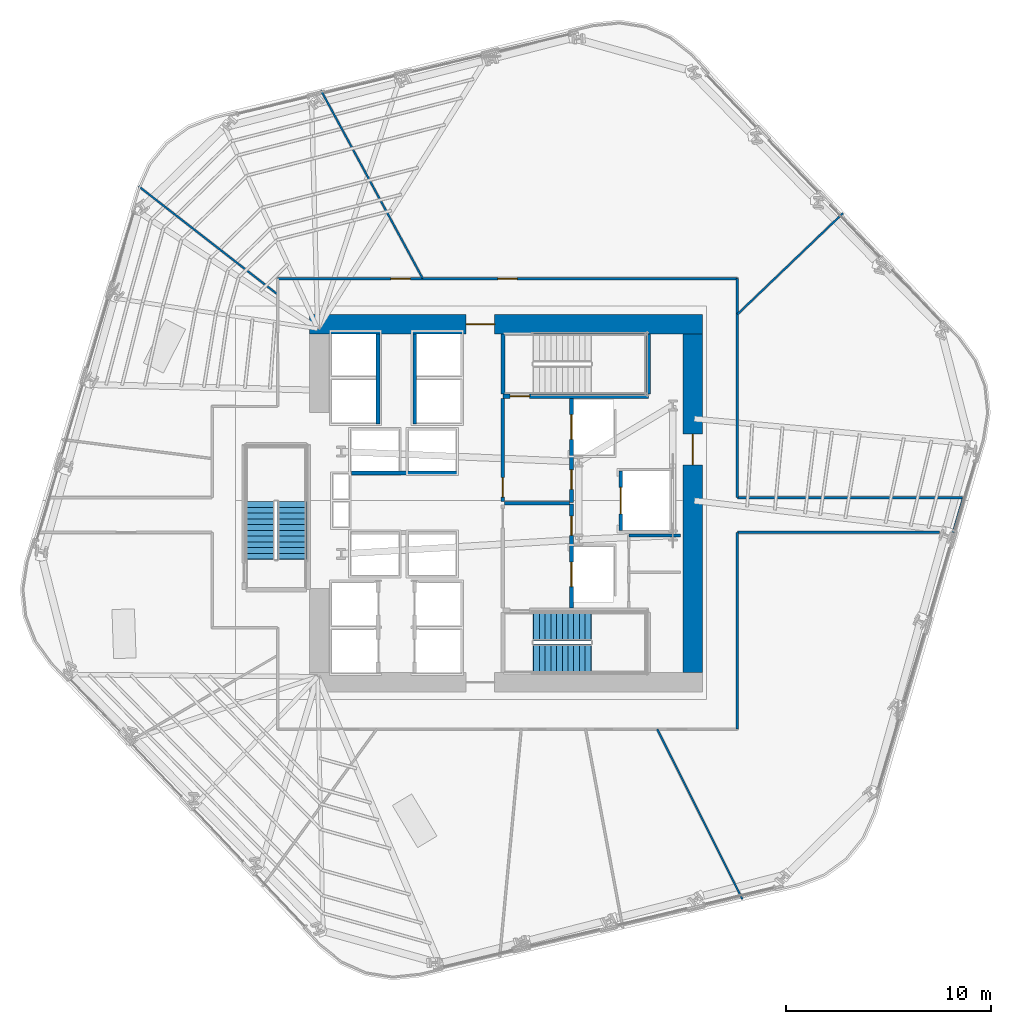
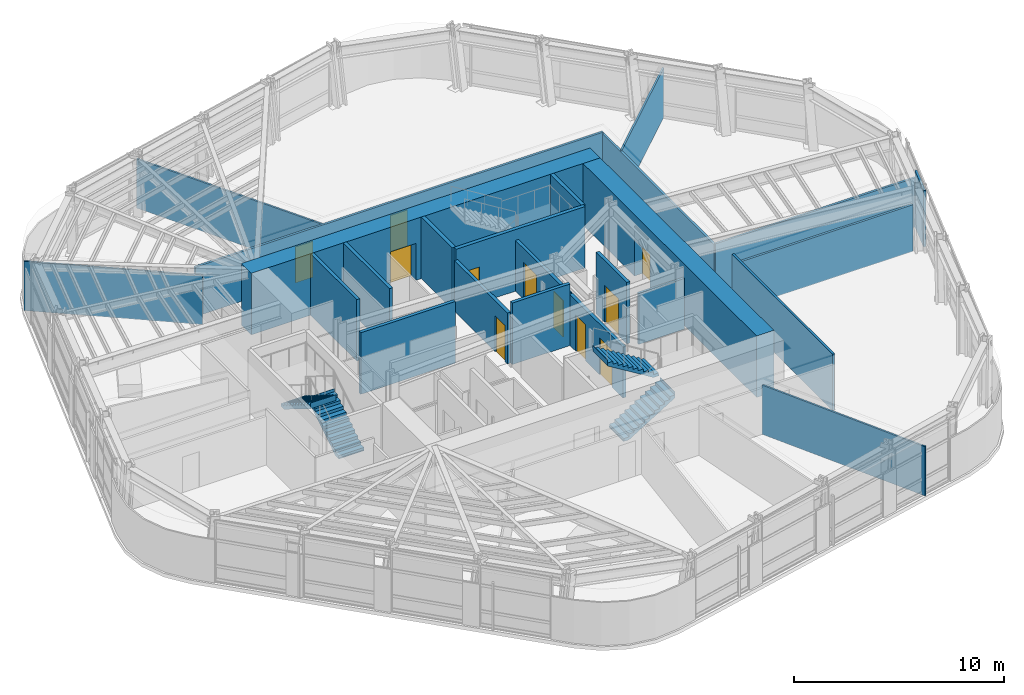
# One storey, part 10 of 17: 24 walls, 11 doors, 4 stair flights, 11 openings, 2 elements without a shape of their own.
"""IFC4 building model written with IfcOpenShell, lengths in metres."""

from ifc_helpers import new_model, si_unit, direction, frame, frame_2d, origin, place, context, subcontext, project, spatial, polyline, rectangle, outline, extrude, material, layer, layer_set, type_object, element, fill, aggregate, save


model = new_model("IFC4")

# Units and contexts
model_context = context("Model", 3, precision=1e-05, world=origin(), true_north=direction((0.0, 1.0)))
body_context = subcontext(model_context, "Body", "Model", "MODEL_VIEW")
ifc_project = project(units=[si_unit("LENGTHUNIT", "METRE"), si_unit("AREAUNIT", "SQUARE_METRE"), si_unit("VOLUMEUNIT", "CUBIC_METRE"), si_unit("PLANEANGLEUNIT", "RADIAN"), si_unit("MASSUNIT", "GRAM", prefix="KILO")], contexts=[model_context])

# Site, building, storey
site_placement = place(None, origin())
site = spatial("IfcSite", under=ifc_project, at=site_placement, CompositionType="ELEMENT")
building_placement = place(site_placement, origin())
building = spatial("IfcBuilding", under=site, at=building_placement, Name="Valkerne Bourse Tower", CompositionType="ELEMENT")
storey_placement = place(building_placement, frame((0.0, 0.0, 82.0)))
storey = spatial("IfcBuildingStorey", under=building, at=storey_placement, Name="L20", CompositionType="ELEMENT", Elevation=82.0)

# Wall, opening, door
ifc_material_1 = material(Name="Concrete C70/85", Category="concrete")
ifc_layer_1 = layer(ifc_material_1, 0.949951171875)
ifc_layer_set_1 = layer_set([ifc_layer_1], Name="Concrete C70/85")
wall_type_1 = type_object("IfcWallType", Name="W-CORE-950", PredefinedType="SHEAR", material=ifc_layer_set_1)
wall_1_placement = place(storey_placement, frame((37.199951171875, 35.625, 0.0), z_axis=(0.0, 0.0, 1.0), x_axis=(1.0, 0.0, 0.0)))
wall_1 = element("IfcWall", 1, at=wall_1_placement, inside=storey, type_object=wall_type_1, Name="L20 Core Shear Wall NORTH", PredefinedType="SHEAR", context=body_context, shape_type="SweptSolid", body=[
    extrude(rectangle(XDim=19.199951171875, YDim=0.949951171875, at=frame_2d((9.60009765625, 0.0))), origin(), (0.0, 0.0, 1.0), 3.580078125),
])
opening_1_placement = place(wall_1_placement, frame((7.64990234375, 0.0, 0.0)))
opening_1 = element("IfcOpeningElement", 2, at=opening_1_placement, cuts=wall_1, Name="Opening D-PL-1400", PredefinedType="OPENING", context=body_context, shape_type="SweptSolid", body=[
    extrude(rectangle(XDim=1.39990234375, YDim=2.14990234375, at=frame_2d((0.699951171875, 1.074951171875))), frame((0.0, 0.48486328125, 0.0), z_axis=(0.0, -1.0, 0.0), x_axis=(1.0, 0.0, 0.0)), (0.0, 0.0, 1.0), 0.969970703125),
])
ifc_material_2 = material(Name="Galvanised Painted Steel", Category="steel")
door_type_1 = type_object("IfcDoorType", Name="DR-PLT-1400", OperationType="DOUBLE_DOOR_SINGLE_SWING", PredefinedType="DOOR", material=ifc_material_2)
door_1_placement = place(opening_1_placement, origin())
door_1 = element("IfcDoor", 3, at=door_1_placement, inside=storey, type_object=door_type_1, Name="L20 North Passenger Lift Hall Fire Door", OperationType="DOUBLE_DOOR_SINGLE_SWING", OverallHeight=2.14990234375, OverallWidth=1.39990234375, PredefinedType="DOOR", context=body_context, shape_type="SweptSolid", body=[
    extrude(rectangle(XDim=1.39990234375, YDim=2.14990234375, at=frame_2d((0.699951171875, 1.074951171875))), frame((0.0, 0.02490234375, 0.0), z_axis=(0.0, -1.0, 0.0), x_axis=(1.0, 0.0, 0.0)), (0.0, 0.0, 1.0), 0.050048828125),
])
fill(opening_1, door_1)

wall_2_placement = place(storey_placement, frame((55.925048828125, 18.60009765625, 0.0), z_axis=(0.0, 0.0, 1.0), x_axis=(0.0, 1.0, 0.0)))
wall_2 = element("IfcWall", 4, at=wall_2_placement, inside=storey, type_object=wall_type_1, Name="L20 Core Shear Wall EAST", PredefinedType="SHEAR", context=body_context, shape_type="SweptSolid", body=[
    extrude(rectangle(XDim=16.5498046875, YDim=0.949951171875, at=frame_2d((8.27490234375, 0.0))), origin(), (0.0, 0.0, 1.0), 3.580078125),
])
opening_2_placement = place(wall_2_placement, frame((10.14990234375, 0.0, 0.0)))
opening_2 = element("IfcOpeningElement", 5, at=opening_2_placement, cuts=wall_2, Name="Opening D-CR-1500", PredefinedType="OPENING", context=body_context, shape_type="SweptSolid", body=[
    extrude(rectangle(XDim=1.5, YDim=2.14990234375, at=frame_2d((0.75, 1.074951171875))), frame((0.0, 0.48486328125, 0.0), z_axis=(0.0, -1.0, 0.0), x_axis=(1.0, 0.0, 0.0)), (0.0, 0.0, 1.0), 0.969970703125),
])
door_type_2 = type_object("IfcDoorType", Name="DR-CORR-1500", OperationType="DOUBLE_DOOR_SINGLE_SWING", PredefinedType="DOOR", material=ifc_material_2)
door_2_placement = place(opening_2_placement, origin())
door_2 = element("IfcDoor", 6, at=door_2_placement, inside=storey, type_object=door_type_2, Name="L20 East Core Service Lobby Fire Door", OperationType="DOUBLE_DOOR_SINGLE_SWING", OverallHeight=2.14990234375, OverallWidth=1.5, PredefinedType="DOOR", context=body_context, shape_type="SweptSolid", body=[
    extrude(rectangle(XDim=1.5, YDim=2.14990234375, at=frame_2d((0.75, 1.074951171875))), frame((0.0, 0.02490234375, 0.0), z_axis=(0.0, -1.0, 0.0), x_axis=(1.0, 0.0, 0.0)), (0.0, 0.0, 1.0), 0.050048828125),
])
fill(opening_2, door_2)

# Walls
ifc_material_3 = material(Name="Gypsum Board Steel-Stud Partition", Category="steel")
ifc_layer_2 = layer(ifc_material_3, 0.117919921875)
ifc_layer_set_2 = layer_set([ifc_layer_2], Name="Gypsum Board Steel-Stud Partition")
wall_type_2 = type_object("IfcWallType", Name="W-CORR-140", PredefinedType="PARTITIONING", material=ifc_layer_set_2)
wall_3_placement = place(storey_placement, frame((58.10009765625, 27.14990234375, 0.0), z_axis=(0.0, 0.0, 1.0), x_axis=(1.0, 0.0, 0.0)))
element("IfcWall", 7, at=wall_3_placement, inside=storey, type_object=wall_type_2, Name="L20 Corridor Enclosure Wall", PredefinedType="PARTITIONING", context=body_context, shape_type="SweptSolid", body=[
    extrude(rectangle(XDim=10.997802734375, YDim=0.117919921875, at=frame_2d((5.4990234375, 0.0))), origin(), (0.0, 0.0, 1.0), 2.864013671875),
])
wall_4_placement = place(storey_placement, frame((69.13037109375, 27.106689453125, 0.0), z_axis=(0.0, 0.0, 1.0), x_axis=(-0.281009953454, -0.959704853619, 0.0)))
element("IfcWall", 8, at=wall_4_placement, inside=storey, type_object=wall_type_2, Name="L20 Corridor Enclosure Wall", PredefinedType="PARTITIONING", context=body_context, shape_type="SweptSolid", body=[
    extrude(rectangle(XDim=1.726318359375, YDim=0.117919921875, at=frame_2d((0.86328125, 0.0))), origin(), (0.0, 0.0, 1.0), 3.280029296875),
])
wall_5_placement = place(storey_placement, frame((67.968017578125, 25.449951171875, 0.0), z_axis=(0.0, 0.0, 1.0), x_axis=(-1.0, 0.0, 0.0)))
element("IfcWall", 9, at=wall_5_placement, inside=storey, type_object=wall_type_2, Name="L20 Corridor Enclosure Wall", PredefinedType="PARTITIONING", context=body_context, shape_type="SweptSolid", body=[
    extrude(rectangle(XDim=9.867919921875, YDim=0.117919921875, at=frame_2d((4.93408203125, 0.0))), origin(), (0.0, 0.0, 1.0), 2.711669921875),
])
wall_6_placement = place(storey_placement, frame((58.10009765625, 25.449951171875, 0.0), z_axis=(0.0, 0.0, 1.0), x_axis=(0.0, -1.0, 0.0)))
element("IfcWall", 10, at=wall_6_placement, inside=storey, type_object=wall_type_2, Name="L20 Corridor Enclosure Wall", PredefinedType="PARTITIONING", context=body_context, shape_type="SweptSolid", body=[
    extrude(rectangle(XDim=9.599853515625, YDim=0.117919921875, at=frame_2d((4.7998046875, 0.0))), origin(), (0.0, 0.0, 1.0), 3.280029296875),
])

# Wall, openings, doors
wall_7_placement = place(storey_placement, frame((35.64990234375, 37.85009765625, 0.0), z_axis=(0.0, 0.0, 1.0), x_axis=(1.0, 0.0, 0.0)))
wall_7 = element("IfcWall", 11, at=wall_7_placement, inside=storey, type_object=wall_type_2, Name="L20 Corridor Enclosure Wall", PredefinedType="PARTITIONING", context=body_context, shape_type="SweptSolid", body=[
    extrude(rectangle(XDim=22.4501953125, YDim=0.117919921875, at=frame_2d((11.22509765625, 0.0))), origin(), (0.0, 0.0, 1.0), 2.876708984375),
])
opening_3_placement = place(wall_7_placement, frame((5.530029296875, 0.0, 0.0)))
opening_3 = element("IfcOpeningElement", 12, at=opening_3_placement, cuts=wall_7, Name="Opening D-OF-950", PredefinedType="OPENING", context=body_context, shape_type="SweptSolid", body=[
    extrude(rectangle(XDim=0.949951171875, YDim=2.10009765625, at=frame_2d((0.47509765625, 1.050048828125))), frame((0.0, 0.06884765625, 0.0), z_axis=(0.0, -1.0, 0.0), x_axis=(1.0, 0.0, 0.0)), (0.0, 0.0, 1.0), 0.137939453125),
])
opening_4_placement = place(wall_7_placement, frame((10.75, 0.0, 0.0)))
opening_4 = element("IfcOpeningElement", 13, at=opening_4_placement, cuts=wall_7, Name="Opening D-OF-950", PredefinedType="OPENING", context=body_context, shape_type="SweptSolid", body=[
    extrude(rectangle(XDim=0.949951171875, YDim=2.10009765625, at=frame_2d((0.47509765625, 1.050048828125))), frame((0.0, 0.06884765625, 0.0), z_axis=(0.0, -1.0, 0.0), x_axis=(1.0, 0.0, 0.0)), (0.0, 0.0, 1.0), 0.137939453125),
])
ifc_material_4 = material(Name="Architectural White Oak Timber", Category="wood")
door_type_3 = type_object("IfcDoorType", Name="DR-OFF-950", OperationType="NOTDEFINED", PredefinedType="DOOR", material=ifc_material_4)
door_3_placement = place(opening_3_placement, origin())
door_3 = element("IfcDoor", 14, at=door_3_placement, inside=storey, type_object=door_type_3, Name="L20 L20 Hospitality Catering Kitchen 4 Door", OperationType="SINGLE_SWING_RIGHT", OverallHeight=2.10009765625, OverallWidth=0.949951171875, PredefinedType="DOOR", context=body_context, shape_type="SweptSolid", body=[
    extrude(rectangle(XDim=0.949951171875, YDim=2.10009765625, at=frame_2d((0.47509765625, 1.050048828125))), frame((0.0, 0.02490234375, 0.0), z_axis=(0.0, -1.0, 0.0), x_axis=(1.0, 0.0, 0.0)), (0.0, 0.0, 1.0), 0.050048828125),
])
fill(opening_3, door_3)
door_4_placement = place(opening_4_placement, origin())
door_4 = element("IfcDoor", 15, at=door_4_placement, inside=storey, type_object=door_type_3, Name="L20 L20 Occupational Wellness Clinic 8 Door", OperationType="SINGLE_SWING_LEFT", OverallHeight=2.10009765625, OverallWidth=0.949951171875, PredefinedType="DOOR", context=body_context, shape_type="SweptSolid", body=[
    extrude(rectangle(XDim=0.949951171875, YDim=2.10009765625, at=frame_2d((0.47509765625, 1.050048828125))), frame((0.0, 0.02490234375, 0.0), z_axis=(0.0, -1.0, 0.0), x_axis=(1.0, 0.0, 0.0)), (0.0, 0.0, 1.0), 0.050048828125),
])
fill(opening_4, door_4)

# Walls
wall_8_placement = place(storey_placement, frame((58.10009765625, 37.85009765625, 0.0), z_axis=(0.0, 0.0, 1.0), x_axis=(0.0, -1.0, 0.0)))
element("IfcWall", 16, at=wall_8_placement, inside=storey, type_object=wall_type_2, Name="L20 Corridor Enclosure Wall", PredefinedType="PARTITIONING", context=body_context, shape_type="SweptSolid", body=[
    extrude(rectangle(XDim=10.7001953125, YDim=0.117919921875, at=frame_2d((5.35009765625, 0.0))), origin(), (0.0, 0.0, 1.0), 2.80029296875),
])
ifc_material_5 = material(Name="Gypsum Fire-Rated Shaftwall", Category="gypsum")
ifc_layer_3 = layer(ifc_material_5, 0.179931640625)
ifc_layer_set_3 = layer_set([ifc_layer_3], Name="Gypsum Fire-Rated Shaftwall")
wall_type_3 = type_object("IfcWallType", Name="W-FSAE-180", PredefinedType="PARTITIONING", material=ifc_layer_set_3)
wall_9_placement = place(storey_placement, frame((46.739990234375, 26.8798828125, 0.0), z_axis=(0.0, 0.0, 1.0), x_axis=(1.0, 0.0, 0.0)))
element("IfcWall", 17, at=wall_9_placement, inside=storey, type_object=wall_type_3, Name="L20 FSAE-1/2 Lobby Dividing Fire Wall", PredefinedType="PARTITIONING", context=body_context, shape_type="SweptSolid", body=[
    extrude(rectangle(XDim=3.169921875, YDim=0.179931640625, at=frame_2d((1.5849609375, 0.0))), origin(), (0.0, 0.0, 1.0), 3.580078125),
])

# Wall, opening, door
wall_10_placement = place(storey_placement, frame((46.64990234375, 26.9599609375, 0.0), z_axis=(0.0, 0.0, 1.0), x_axis=(0.0, 1.0, 0.0)))
wall_10 = element("IfcWall", 18, at=wall_10_placement, inside=storey, type_object=wall_type_3, Name="L20 FSAE-2 Lobby West Fire Wall", PredefinedType="PARTITIONING", context=body_context, shape_type="SweptSolid", body=[
    extrude(rectangle(XDim=5.0400390625, YDim=0.179931640625, at=frame_2d((2.52001953125, 0.0))), origin(), (0.0, 0.0, 1.0), 2.957763671875),
])
opening_5_placement = place(wall_10_placement, frame((0.219970703125, 0.0, 0.0)))
opening_5 = element("IfcOpeningElement", 19, at=opening_5_placement, cuts=wall_10, Name="Opening D-FS-950", PredefinedType="OPENING", context=body_context, shape_type="SweptSolid", body=[
    extrude(rectangle(XDim=0.949951171875, YDim=2.10009765625, at=frame_2d((0.47509765625, 1.050048828125))), frame((0.0, 0.099853515625, 0.0), z_axis=(0.0, -1.0, 0.0), x_axis=(1.0, 0.0, 0.0)), (0.0, 0.0, 1.0), 0.199951171875),
])
door_type_4 = type_object("IfcDoorType", Name="DR-FSAE-950", OperationType="NOTDEFINED", PredefinedType="DOOR", material=ifc_material_2)
door_5_placement = place(opening_5_placement, origin())
door_5 = element("IfcDoor", 20, at=door_5_placement, inside=storey, type_object=door_type_4, Name="L20 FSAE-2 Hall Link Fire Door", OperationType="SINGLE_SWING_LEFT", OverallHeight=2.10009765625, OverallWidth=0.949951171875, PredefinedType="DOOR", context=body_context, shape_type="SweptSolid", body=[
    extrude(rectangle(XDim=0.949951171875, YDim=2.10009765625, at=frame_2d((0.47509765625, 1.050048828125))), frame((0.0, 0.02490234375, 0.0), z_axis=(0.0, -1.0, 0.0), x_axis=(1.0, 0.0, 0.0)), (0.0, 0.0, 1.0), 0.050048828125),
])
fill(opening_5, door_5)

# Wall, openings, doors
wall_11_placement = place(storey_placement, frame((50.0, 21.75, 0.0), z_axis=(0.0, 0.0, 1.0), x_axis=(0.0, 1.0, 0.0)))
wall_11 = element("IfcWall", 21, at=wall_11_placement, inside=storey, type_object=wall_type_3, Name="L20 FSAE-1 Lobby & Shaft Front Wall", PredefinedType="PARTITIONING", context=body_context, shape_type="SweptSolid", body=[
    extrude(rectangle(XDim=5.090087890625, YDim=0.179931640625, at=frame_2d((2.544921875, 0.0))), origin(), (0.0, 0.0, 1.0), 2.957763671875),
])
opening_6_placement = place(wall_11_placement, frame((1.050048828125, 0.0, 0.0)))
opening_6 = element("IfcOpeningElement", 22, at=opening_6_placement, cuts=wall_11, Name="Opening LD-1200", PredefinedType="OPENING", context=body_context, shape_type="SweptSolid", body=[
    extrude(rectangle(XDim=1.199951171875, YDim=2.14990234375, at=frame_2d((0.60009765625, 1.074951171875))), frame((0.0, 0.099853515625, 0.0), z_axis=(0.0, -1.0, 0.0), x_axis=(1.0, 0.0, 0.0)), (0.0, 0.0, 1.0), 0.199951171875),
])
opening_7_placement = place(wall_11_placement, frame((3.550048828125, 0.0, 0.0)))
opening_7 = element("IfcOpeningElement", 23, at=opening_7_placement, cuts=wall_11, Name="Opening D-FS-950", PredefinedType="OPENING", context=body_context, shape_type="SweptSolid", body=[
    extrude(rectangle(XDim=0.949951171875, YDim=2.10009765625, at=frame_2d((0.47509765625, 1.050048828125))), frame((0.0, 0.099853515625, 0.0), z_axis=(0.0, -1.0, 0.0), x_axis=(1.0, 0.0, 0.0)), (0.0, 0.0, 1.0), 0.199951171875),
])
door_6_placement = place(opening_7_placement, origin())
door_6 = element("IfcDoor", 24, at=door_6_placement, inside=storey, type_object=door_type_4, Name="L20 FSAE-1 Lobby Corridor Fire Door", OperationType="SINGLE_SWING_RIGHT", OverallHeight=2.10009765625, OverallWidth=0.949951171875, PredefinedType="DOOR", context=body_context, shape_type="SweptSolid", body=[
    extrude(rectangle(XDim=0.949951171875, YDim=2.10009765625, at=frame_2d((0.47509765625, 1.050048828125))), frame((0.0, 0.02490234375, 0.0), z_axis=(0.0, -1.0, 0.0), x_axis=(1.0, 0.0, 0.0)), (0.0, 0.0, 1.0), 0.050048828125),
])
fill(opening_7, door_6)
ifc_material_6 = material(Name="Stainless Steel AISI 316", Category="steel")
door_type_5 = type_object("IfcDoorType", Name="DR-LIFT-1200", OperationType="DOUBLE_DOOR_SLIDING", PredefinedType="DOOR", material=ifc_material_6)
door_7_placement = place(opening_6_placement, origin())
door_7 = element("IfcDoor", 25, at=door_7_placement, inside=storey, type_object=door_type_5, Name="L20 FSAE-1 Firefighting Lift Landing Door", OperationType="DOUBLE_DOOR_SLIDING", OverallHeight=2.14990234375, OverallWidth=1.199951171875, PredefinedType="DOOR", context=body_context, shape_type="SweptSolid", body=[
    extrude(rectangle(XDim=1.199951171875, YDim=2.14990234375, at=frame_2d((0.60009765625, 1.074951171875))), frame((0.0, 0.02490234375, 0.0), z_axis=(0.0, -1.0, 0.0), x_axis=(1.0, 0.0, 0.0)), (0.0, 0.0, 1.0), 0.050048828125),
])
fill(opening_6, door_7)

wall_12_placement = place(storey_placement, frame((50.0, 26.919921875, 0.0), z_axis=(0.0, 0.0, 1.0), x_axis=(0.0, 1.0, 0.0)))
wall_12 = element("IfcWall", 26, at=wall_12_placement, inside=storey, type_object=wall_type_3, Name="L20 FSAE-2 Lobby & Shaft Front Wall", PredefinedType="PARTITIONING", context=body_context, shape_type="SweptSolid", body=[
    extrude(rectangle(XDim=5.080078125, YDim=0.179931640625, at=frame_2d((2.5400390625, 0.0))), origin(), (0.0, 0.0, 1.0), 2.957763671875),
])
opening_8_placement = place(wall_12_placement, frame((3.080078125, 0.0, 0.0)))
opening_8 = element("IfcOpeningElement", 27, at=opening_8_placement, cuts=wall_12, Name="Opening LD-1200", PredefinedType="OPENING", context=body_context, shape_type="SweptSolid", body=[
    extrude(rectangle(XDim=1.199951171875, YDim=2.14990234375, at=frame_2d((0.60009765625, 1.074951171875))), frame((0.0, 0.099853515625, 0.0), z_axis=(0.0, -1.0, 0.0), x_axis=(1.0, 0.0, 0.0)), (0.0, 0.0, 1.0), 0.199951171875),
])
opening_9_placement = place(wall_12_placement, frame((0.6298828125, 0.0, 0.0)))
opening_9 = element("IfcOpeningElement", 28, at=opening_9_placement, cuts=wall_12, Name="Opening D-FS-950", PredefinedType="OPENING", context=body_context, shape_type="SweptSolid", body=[
    extrude(rectangle(XDim=0.949951171875, YDim=2.10009765625, at=frame_2d((0.47509765625, 1.050048828125))), frame((0.0, 0.099853515625, 0.0), z_axis=(0.0, -1.0, 0.0), x_axis=(1.0, 0.0, 0.0)), (0.0, 0.0, 1.0), 0.199951171875),
])
door_8_placement = place(opening_9_placement, origin())
door_8 = element("IfcDoor", 29, at=door_8_placement, inside=storey, type_object=door_type_4, Name="L20 FSAE-2 Lobby Corridor Fire Door", OperationType="SINGLE_SWING_RIGHT", OverallHeight=2.10009765625, OverallWidth=0.949951171875, PredefinedType="DOOR", context=body_context, shape_type="SweptSolid", body=[
    extrude(rectangle(XDim=0.949951171875, YDim=2.10009765625, at=frame_2d((0.47509765625, 1.050048828125))), frame((0.0, 0.02490234375, 0.0), z_axis=(0.0, -1.0, 0.0), x_axis=(1.0, 0.0, 0.0)), (0.0, 0.0, 1.0), 0.050048828125),
])
fill(opening_9, door_8)
door_9_placement = place(opening_8_placement, origin())
door_9 = element("IfcDoor", 30, at=door_9_placement, inside=storey, type_object=door_type_5, Name="L20 FSAE-2 Firefighting Lift Landing Door", OperationType="DOUBLE_DOOR_SLIDING", OverallHeight=2.14990234375, OverallWidth=1.199951171875, PredefinedType="DOOR", context=body_context, shape_type="SweptSolid", body=[
    extrude(rectangle(XDim=1.199951171875, YDim=2.14990234375, at=frame_2d((0.60009765625, 1.074951171875))), frame((0.0, 0.02490234375, 0.0), z_axis=(0.0, -1.0, 0.0), x_axis=(1.0, 0.0, 0.0)), (0.0, 0.0, 1.0), 0.050048828125),
])
fill(opening_8, door_9)

# Wall, opening, door
ifc_material_7 = material(Name="CMU Blockwork Masonry 200mm", Category="masonry")
ifc_layer_4 = layer(ifc_material_7, 0.179931640625)
ifc_layer_set_4 = layer_set([ifc_layer_4], Name="CMU Blockwork Masonry 200mm")
wall_type_4 = type_object("IfcWallType", Name="W-LFT-180", PredefinedType="SOLIDWALL", material=ifc_layer_set_4)
wall_13_placement = place(storey_placement, frame((52.39990234375, 25.550048828125, 0.0), z_axis=(0.0, 0.0, 1.0), x_axis=(0.0, 1.0, 0.0)))
wall_13 = element("IfcWall", 31, at=wall_13_placement, inside=storey, type_object=wall_type_4, Name="L20 Service Lift SV-1 Front Wall", PredefinedType="SOLIDWALL", context=body_context, shape_type="SweptSolid", body=[
    extrude(rectangle(XDim=2.89990234375, YDim=0.179931640625, at=frame_2d((1.449951171875, 0.0))), origin(), (0.0, 0.0, 1.0), 3.580078125),
])
opening_10_placement = place(wall_13_placement, frame((0.800048828125, 0.0, 0.0)))
opening_10 = element("IfcOpeningElement", 32, at=opening_10_placement, cuts=wall_13, Name="Opening LD-1300", PredefinedType="OPENING", context=body_context, shape_type="SweptSolid", body=[
    extrude(rectangle(XDim=1.300048828125, YDim=2.14990234375, at=frame_2d((0.64990234375, 1.074951171875))), frame((0.0, 0.099853515625, 0.0), z_axis=(0.0, -1.0, 0.0), x_axis=(1.0, 0.0, 0.0)), (0.0, 0.0, 1.0), 0.199951171875),
])
door_type_6 = type_object("IfcDoorType", Name="DR-LIFT-1300", OperationType="DOUBLE_DOOR_SLIDING", PredefinedType="DOOR", material=ifc_material_6)
door_10_placement = place(opening_10_placement, origin())
door_10 = element("IfcDoor", 33, at=door_10_placement, inside=storey, type_object=door_type_6, Name="L20 Service Lift SV-1 Landing Door", OperationType="DOUBLE_DOOR_SLIDING", OverallHeight=2.14990234375, OverallWidth=1.300048828125, PredefinedType="DOOR", context=body_context, shape_type="SweptSolid", body=[
    extrude(rectangle(XDim=1.300048828125, YDim=2.14990234375, at=frame_2d((0.64990234375, 1.074951171875))), frame((0.0, 0.02490234375, 0.0), z_axis=(0.0, -1.0, 0.0), x_axis=(1.0, 0.0, 0.0)), (0.0, 0.0, 1.0), 0.050048828125),
])
fill(opening_10, door_10)

# Walls
for number, where, z_axis, x_axis, name in (
    (34, (40.550048828125, 30.75, 0.0), (0.0, 0.0, 1.0), (0.0, 1.0, 0.0), "L20 Mid-Zone West Cars Front Wall"),
    (35, (42.35009765625, 30.75, 0.0), (0.0, 0.0, 1.0), (0.0, 1.0, 0.0), "L20 Mid-Zone East Cars Front Wall"),
):
    element("IfcWall", number, at=place(storey_placement, frame(where, z_axis=z_axis, x_axis=x_axis)), inside=storey, type_object=wall_type_4, Name=name, PredefinedType="SOLIDWALL", context=body_context, shape_type="SweptSolid", body=[
        extrude(rectangle(XDim=4.39990234375, YDim=0.179931640625, at=frame_2d((2.199951171875, 0.0))), origin(), (0.0, 0.0, 1.0), 3.580078125),
    ])
wall_14_placement = place(storey_placement, frame((39.25, 28.35009765625, 0.0), z_axis=(0.0, 0.0, 1.0), x_axis=(1.0, 0.0, 0.0)))
element("IfcWall", 36, at=wall_14_placement, inside=storey, type_object=wall_type_4, Name="L20 High-Zone North Cars Front Wall", PredefinedType="SOLIDWALL", context=body_context, shape_type="SweptSolid", body=[
    extrude(rectangle(XDim=5.199951171875, YDim=0.179931640625, at=frame_2d((2.60009765625, 0.0))), origin(), (0.0, 0.0, 1.0), 3.580078125),
])
ifc_layer_5 = layer(ifc_material_3, 0.092041015625)
ifc_layer_set_5 = layer_set([ifc_layer_5], Name="Gypsum Board Steel-Stud Partition")
wall_type_5 = type_object("IfcWallType", Name="W-PART-115", PredefinedType="PARTITIONING", material=ifc_layer_set_5)
wall_15_placement = place(storey_placement, frame((54.18603515625, 15.844970703125, 0.0), z_axis=(0.0, 0.0, 1.0), x_axis=(0.447748861589, -0.894159357691, 0.0)))
element("IfcWall", 37, at=wall_15_placement, inside=storey, type_object=wall_type_5, Name="L20 Suite Partition P03", PredefinedType="PARTITIONING", context=body_context, shape_type="SweptSolid", body=[
    extrude(rectangle(XDim=9.30322265625, YDim=0.092041015625, at=frame_2d((4.651611328125, 0.0))), origin(), (0.0, 0.0, 1.0), 2.864013671875),
])
wall_16_placement = place(storey_placement, frame((58.10498046875, 36.103759765625, 0.0), z_axis=(0.0, 0.0, 1.0), x_axis=(0.72219171354, 0.691692944083, 0.0)))
element("IfcWall", 38, at=wall_16_placement, inside=storey, type_object=wall_type_5, Name="L20 Suite Partition P04", PredefinedType="PARTITIONING", context=body_context, shape_type="SweptSolid", body=[
    extrude(rectangle(XDim=7.140380859375, YDim=0.092041015625, at=frame_2d((3.5703125, 0.0))), origin(), (0.0, 0.0, 1.0), 2.864013671875),
])
wall_17_placement = place(storey_placement, frame((42.7314453125, 37.85498046875, 0.0), z_axis=(0.0, 0.0, 1.0), x_axis=(-0.475587927726, 0.879668189149, 0.0)))
element("IfcWall", 39, at=wall_17_placement, inside=storey, type_object=wall_type_5, Name="L20 Suite Partition P05", PredefinedType="PARTITIONING", context=body_context, shape_type="SweptSolid", body=[
    extrude(rectangle(XDim=10.444091796875, YDim=0.092041015625, at=frame_2d((5.22216796875, 0.0))), origin(), (0.0, 0.0, 1.0), 2.864013671875),
])
wall_18_placement = place(storey_placement, frame((35.64501953125, 37.07568359375, 0.0), z_axis=(0.0, 0.0, 1.0), x_axis=(-0.789364449976, 0.613924885564, 0.0)))
element("IfcWall", 40, at=wall_18_placement, inside=storey, type_object=wall_type_5, Name="L20 Suite Partition P06", PredefinedType="PARTITIONING", context=body_context, shape_type="SweptSolid", body=[
    extrude(rectangle(XDim=8.59716796875, YDim=0.092041015625, at=frame_2d((4.298583984375, 0.0))), origin(), (0.0, 0.0, 1.0), 2.864013671875),
])

# Wall, opening, door
ifc_material_8 = material(Name="Concrete C40/50", Category="concrete")
ifc_layer_6 = layer(ifc_material_8, 0.199951171875)
ifc_layer_set_6 = layer_set([ifc_layer_6], Name="Concrete C40/50")
wall_type_6 = type_object("IfcWallType", Name="W-SHF-200", PredefinedType="SHEAR", material=ifc_layer_set_6)
wall_19_placement = place(storey_placement, frame((46.64990234375, 32.10009765625, 0.0), z_axis=(0.0, 0.0, 1.0), x_axis=(1.0, 0.0, 0.0)))
wall_19 = element("IfcWall", 41, at=wall_19_placement, inside=storey, type_object=wall_type_6, Name="L20 Exit Stair ST-2 Structural Shaft Wall South", PredefinedType="SHEAR", context=body_context, shape_type="SweptSolid", body=[
    extrude(rectangle(XDim=7.10009765625, YDim=0.199951171875, at=frame_2d((3.550048828125, 0.0))), origin(), (0.0, 0.0, 1.0), 3.580078125),
])
opening_11_placement = place(wall_19_placement, frame((0.35009765625, 0.0, 0.0)))
opening_11 = element("IfcOpeningElement", 42, at=opening_11_placement, cuts=wall_19, Name="Opening D-ST-950", PredefinedType="OPENING", context=body_context, shape_type="SweptSolid", body=[
    extrude(rectangle(XDim=0.949951171875, YDim=2.10009765625, at=frame_2d((0.47509765625, 1.050048828125))), frame((0.0, 0.10986328125, 0.0), z_axis=(0.0, -1.0, 0.0), x_axis=(1.0, 0.0, 0.0)), (0.0, 0.0, 1.0), 0.219970703125),
])
door_type_7 = type_object("IfcDoorType", Name="DR-STAIR-950", OperationType="NOTDEFINED", PredefinedType="DOOR", material=ifc_material_2)
door_11_placement = place(opening_11_placement, origin())
door_11 = element("IfcDoor", 43, at=door_11_placement, inside=storey, type_object=door_type_7, Name="L20 Exit Stair ST-2 Door", OperationType="SINGLE_SWING_LEFT", OverallHeight=2.10009765625, OverallWidth=0.949951171875, PredefinedType="DOOR", context=body_context, shape_type="SweptSolid", body=[
    extrude(rectangle(XDim=0.949951171875, YDim=2.10009765625, at=frame_2d((0.47509765625, 1.050048828125))), frame((0.0, 0.02490234375, 0.0), z_axis=(0.0, -1.0, 0.0), x_axis=(1.0, 0.0, 0.0)), (0.0, 0.0, 1.0), 0.050048828125),
])
fill(opening_11, door_11)

# Walls
for number, where, z_axis, x_axis, name in (
    (44, (46.64990234375, 32.199951171875, 0.0), (0.0, 0.0, 1.0), (0.0, 1.0, 0.0), "L20 Exit Stair ST-2 Structural Shaft Wall West"),
    (45, (53.75, 32.199951171875, 0.0), (0.0, 0.0, 1.0), (0.0, 1.0, 0.0), "L20 Exit Stair ST-2 Structural Shaft Wall East"),
):
    element("IfcWall", number, at=place(storey_placement, frame(where, z_axis=z_axis, x_axis=x_axis)), inside=storey, type_object=wall_type_6, Name=name, PredefinedType="SHEAR", context=body_context, shape_type="SweptSolid", body=[
        extrude(rectangle(XDim=2.949951171875, YDim=0.199951171875, at=frame_2d((1.47509765625, 0.0))), origin(), (0.0, 0.0, 1.0), 3.580078125),
    ])
ifc_material_9 = material(Name="Moisture-Resistant Gypsum Partition", Category="gypsum")
ifc_layer_7 = layer(ifc_material_9, 0.139892578125)
ifc_layer_set_7 = layer_set([ifc_layer_7], Name="Moisture-Resistant Gypsum Partition")
wall_type_7 = type_object("IfcWallType", Name="W-WET-140", PredefinedType="PARTITIONING", material=ifc_layer_set_7)
wall_20_placement = place(storey_placement, frame((52.800048828125, 25.300048828125, 0.0), z_axis=(0.0, 0.0, 1.0), x_axis=(1.0, 0.0, 0.0)))
element("IfcWall", 46, at=wall_20_placement, inside=storey, type_object=wall_type_7, Name="L20 Core SE Dual North Wall", PredefinedType="PARTITIONING", context=body_context, shape_type="SweptSolid", body=[
    extrude(rectangle(XDim=2.52001953125, YDim=0.139892578125, at=frame_2d((1.260009765625, 0.0))), origin(), (0.0, 0.0, 1.0), 2.957763671875),
])

# Stair, stair flights
stair_type = type_object("IfcStairType", Name="ST-CORE-1400", PredefinedType="HALF_TURN_STAIR", material=ifc_material_8)
stair_1_placement = place(storey_placement, origin())
stair_1 = element("IfcStair", 47, at=stair_1_placement, inside=storey, type_object=stair_type, Name="L20 ST-1", PredefinedType="HALF_TURN_STAIR")
stair_flight_type = type_object("IfcStairFlightType", Name="STF-CORE-1400", PredefinedType="STRAIGHT", material=ifc_material_8)
stair_flight_1_placement = place(storey_placement, frame((48.14990234375, 19.300048828125, 0.0), z_axis=(0.0, 0.0, 1.0), x_axis=(1.0, 0.0, 0.0)))
stair_flight_1 = element("IfcStairFlight", 48, at=stair_flight_1_placement, type_object=stair_flight_type, Name="ST-1 flight 1", NumberOfRisers=11, NumberOfTreads=10, PredefinedType="STRAIGHT", RiserHeight=0.172727273, TreadLength=0.28, context=body_context, shape_type="SweptSolid", body=[
    extrude(outline(polyline([(-0.02001953125, 0.0), (-0.02001953125, 0.044921875), (0.0, 0.044921875), (0.0, 0.172607421875), (0.280029296875, 0.172607421875), (0.280029296875, 0.345458984375), (0.56005859375, 0.345458984375), (0.56005859375, 0.51806640625), (0.840087890625, 0.51806640625), (0.840087890625, 0.69091796875), (1.1201171875, 0.69091796875), (1.1201171875, 0.863525390625), (1.39990234375, 0.863525390625), (1.39990234375, 1.036376953125), (1.679931640625, 1.036376953125), (1.679931640625, 1.208984375), (1.9599609375, 1.208984375), (1.9599609375, 1.3818359375), (2.239990234375, 1.3818359375), (2.239990234375, 1.554443359375), (2.52001953125, 1.554443359375), (2.52001953125, 1.727294921875), (2.800048828125, 1.727294921875), (2.800048828125, 1.89990234375), (2.820068359375, 1.89990234375), (2.820068359375, 1.780029296875), (2.800048828125, 1.551025390625), (0.285400390625, 0.0), (-0.02001953125, 0.0)])), frame((0.0, 0.699951171875, 0.0), z_axis=(0.0, -1.0, 0.0), x_axis=(1.0, 0.0, 0.0)), (0.0, 0.0, 1.0), 1.39990234375),
])
stair_flight_2_placement = place(storey_placement, frame((50.949951171875, 20.85009765625, 1.89990234375), z_axis=(0.0, 0.0, 1.0), x_axis=(-1.0, 0.0, 0.0)))
stair_flight_2 = element("IfcStairFlight", 49, at=stair_flight_2_placement, type_object=stair_flight_type, Name="ST-1 flight 2", NumberOfRisers=11, NumberOfTreads=10, PredefinedType="STRAIGHT", RiserHeight=0.172727273, TreadLength=0.28, context=body_context, shape_type="SweptSolid", body=[
    extrude(outline(polyline([(-0.02001953125, 0.0), (-0.02001953125, 0.044921875), (0.0, 0.044921875), (0.0, 0.172607421875), (0.280029296875, 0.172607421875), (0.280029296875, 0.345458984375), (0.56005859375, 0.345458984375), (0.56005859375, 0.51806640625), (0.840087890625, 0.51806640625), (0.840087890625, 0.69091796875), (1.1201171875, 0.69091796875), (1.1201171875, 0.863525390625), (1.39990234375, 0.863525390625), (1.39990234375, 1.036376953125), (1.679931640625, 1.036376953125), (1.679931640625, 1.208984375), (1.9599609375, 1.208984375), (1.9599609375, 1.3818359375), (2.239990234375, 1.3818359375), (2.239990234375, 1.554443359375), (2.52001953125, 1.554443359375), (2.52001953125, 1.727294921875), (2.800048828125, 1.727294921875), (2.800048828125, 1.89990234375), (2.820068359375, 1.89990234375), (2.820068359375, 1.780029296875), (2.800048828125, 1.551025390625), (0.285400390625, 0.0), (-0.02001953125, 0.0)])), frame((0.0, 0.699951171875, 0.0), z_axis=(0.0, -1.0, 0.0), x_axis=(1.0, 0.0, 0.0)), (0.0, 0.0, 1.0), 1.39990234375),
])
aggregate(stair_1, [stair_flight_1, stair_flight_2])

stair_2_placement = place(storey_placement, origin())
stair_2 = element("IfcStair", 50, at=stair_2_placement, inside=storey, type_object=stair_type, Name="L20 ST-3", PredefinedType="HALF_TURN_STAIR")
stair_flight_3_placement = place(storey_placement, frame((36.35009765625, 24.14990234375, 0.0), z_axis=(0.0, 0.0, 1.0), x_axis=(0.0, 1.0, 0.0)))
stair_flight_3 = element("IfcStairFlight", 51, at=stair_flight_3_placement, type_object=stair_flight_type, Name="ST-3 flight 1", NumberOfRisers=11, NumberOfTreads=10, PredefinedType="STRAIGHT", RiserHeight=0.172727273, TreadLength=0.28, context=body_context, shape_type="SweptSolid", body=[
    extrude(outline(polyline([(-0.02001953125, 0.0), (-0.02001953125, 0.044921875), (0.0, 0.044921875), (0.0, 0.172607421875), (0.280029296875, 0.172607421875), (0.280029296875, 0.345458984375), (0.56005859375, 0.345458984375), (0.56005859375, 0.51806640625), (0.840087890625, 0.51806640625), (0.840087890625, 0.69091796875), (1.1201171875, 0.69091796875), (1.1201171875, 0.863525390625), (1.39990234375, 0.863525390625), (1.39990234375, 1.036376953125), (1.679931640625, 1.036376953125), (1.679931640625, 1.208984375), (1.9599609375, 1.208984375), (1.9599609375, 1.3818359375), (2.239990234375, 1.3818359375), (2.239990234375, 1.554443359375), (2.52001953125, 1.554443359375), (2.52001953125, 1.727294921875), (2.800048828125, 1.727294921875), (2.800048828125, 1.89990234375), (2.820068359375, 1.89990234375), (2.820068359375, 1.780029296875), (2.800048828125, 1.551025390625), (0.285400390625, 0.0), (-0.02001953125, 0.0)])), frame((0.0, 0.699951171875, 0.0), z_axis=(0.0, -1.0, 0.0), x_axis=(1.0, 0.0, 0.0)), (0.0, 0.0, 1.0), 1.39990234375),
])
stair_flight_4_placement = place(storey_placement, frame((34.800048828125, 26.949951171875, 1.89990234375), z_axis=(0.0, 0.0, 1.0), x_axis=(0.0, -1.0, 0.0)))
stair_flight_4 = element("IfcStairFlight", 52, at=stair_flight_4_placement, type_object=stair_flight_type, Name="ST-3 flight 2", NumberOfRisers=11, NumberOfTreads=10, PredefinedType="STRAIGHT", RiserHeight=0.172727273, TreadLength=0.28, context=body_context, shape_type="SweptSolid", body=[
    extrude(outline(polyline([(-0.02001953125, 0.0), (-0.02001953125, 0.044921875), (0.0, 0.044921875), (0.0, 0.172607421875), (0.280029296875, 0.172607421875), (0.280029296875, 0.345458984375), (0.56005859375, 0.345458984375), (0.56005859375, 0.51806640625), (0.840087890625, 0.51806640625), (0.840087890625, 0.69091796875), (1.1201171875, 0.69091796875), (1.1201171875, 0.863525390625), (1.39990234375, 0.863525390625), (1.39990234375, 1.036376953125), (1.679931640625, 1.036376953125), (1.679931640625, 1.208984375), (1.9599609375, 1.208984375), (1.9599609375, 1.3818359375), (2.239990234375, 1.3818359375), (2.239990234375, 1.554443359375), (2.52001953125, 1.554443359375), (2.52001953125, 1.727294921875), (2.800048828125, 1.727294921875), (2.800048828125, 1.89990234375), (2.820068359375, 1.89990234375), (2.820068359375, 1.780029296875), (2.800048828125, 1.551025390625), (0.285400390625, 0.0), (-0.02001953125, 0.0)])), frame((0.0, 0.699951171875, 0.0), z_axis=(0.0, -1.0, 0.0), x_axis=(1.0, 0.0, 0.0)), (0.0, 0.0, 1.0), 1.39990234375),
])
aggregate(stair_2, [stair_flight_3, stair_flight_4])

save(model, "model.ifc")
